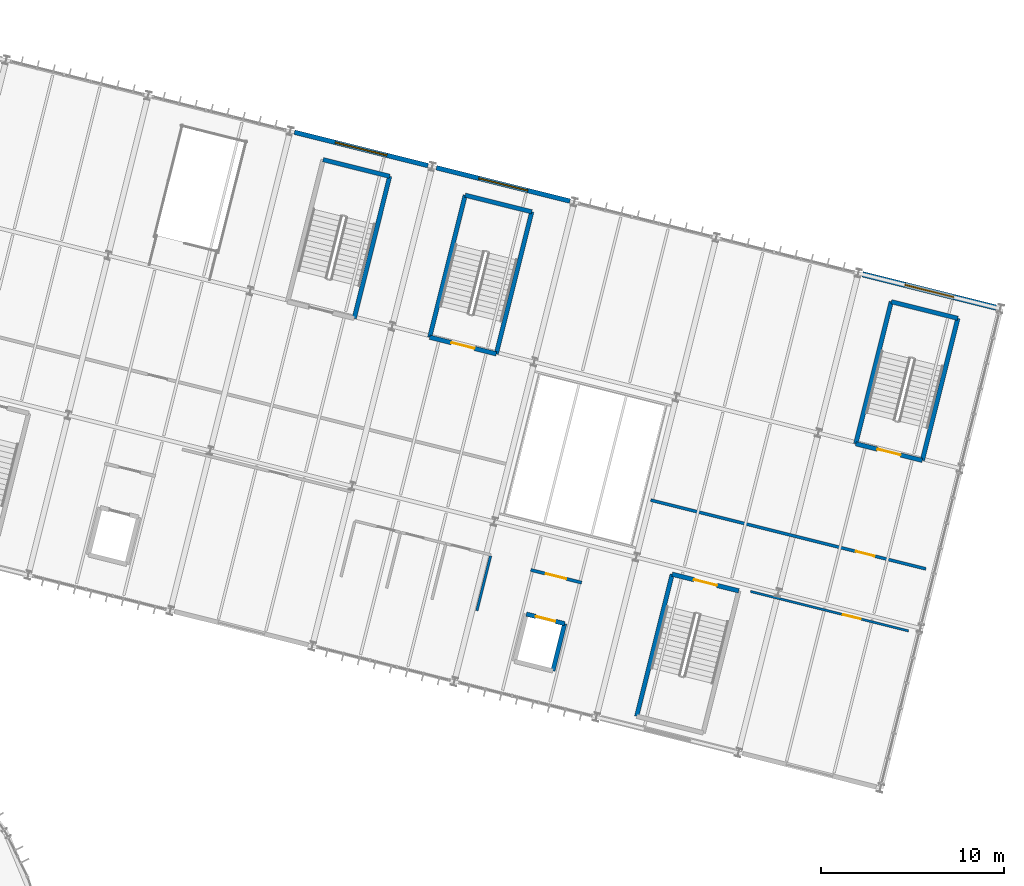
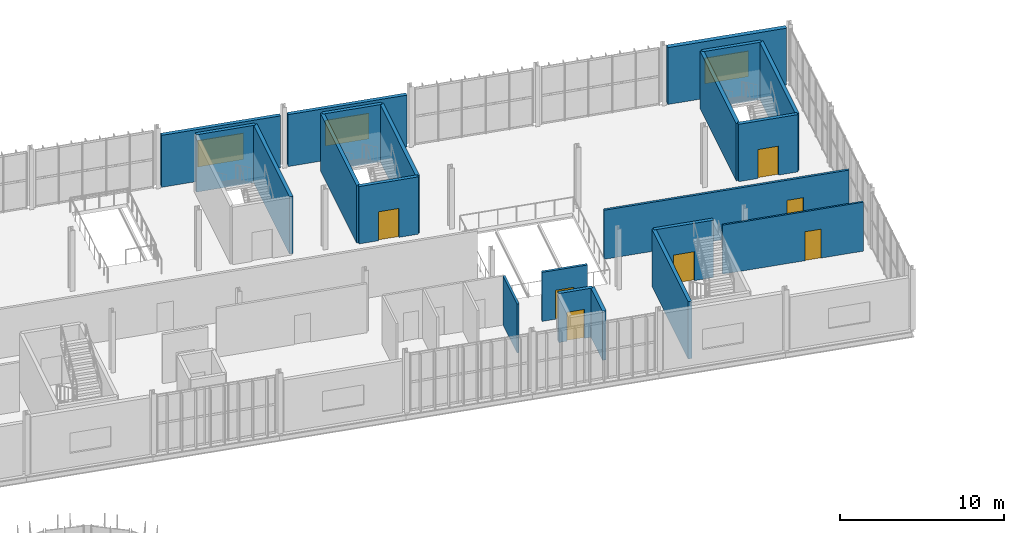
# One storey, part 125 of 152: 21 walls, 7 doors, 3 windows, 10 openings.
"""IFC4 building model written with IfcOpenShell, lengths in metres."""

from ifc_helpers import new_model, si_unit, derived_unit, direction, frame, frame_2d, origin, place, context, subcontext, project, spatial, rectangle, extrude, material, layer, layer_set, type_object, element, fill, save


model = new_model("IFC4")

# Units and contexts
model_context = context("Model", 3, precision=1e-05, world=origin(), true_north=direction((0.0, 1.0)))
body_context = subcontext(model_context, "Body", "Model", "MODEL_VIEW")
ifc_project = project(units=[si_unit("LENGTHUNIT", "METRE"), si_unit("AREAUNIT", "SQUARE_METRE"), si_unit("VOLUMEUNIT", "CUBIC_METRE"), si_unit("PLANEANGLEUNIT", "RADIAN"), si_unit("MASSUNIT", "GRAM", prefix="KILO"), si_unit("THERMODYNAMICTEMPERATUREUNIT", "KELVIN"), si_unit("TIMEUNIT", "SECOND"), derived_unit("THERMALTRANSMITTANCEUNIT", [(si_unit("MASSUNIT", "GRAM", prefix="KILO"), 1), (si_unit("THERMODYNAMICTEMPERATUREUNIT", "KELVIN"), -1), (si_unit("TIMEUNIT", "SECOND"), -3)])], contexts=[model_context])

# Site, building, storey
site_placement = place(None, origin())
site = spatial("IfcSite", under=ifc_project, at=site_placement, CompositionType="ELEMENT")
building_placement = place(site_placement, origin())
building = spatial("IfcBuilding", under=site, at=building_placement, Name="Cambertide Market Hall", CompositionType="ELEMENT")
storey_placement = place(building_placement, frame((0.0, 0.0, 5.39990234375)))
storey = spatial("IfcBuildingStorey", under=building, at=storey_placement, Name="L02", CompositionType="ELEMENT", Elevation=5.39990234375)

# Wall, opening, door
ifc_material_1 = material(Name="Autoclaved Aerated Concrete Blockwork M7.5", Category="masonry")
ifc_layer_1 = layer(ifc_material_1, 0.159912109375, Name="Fire-Rated Corridor & Kitchen Partition 160")
ifc_layer_set_1 = layer_set([ifc_layer_1], Name="Autoclaved Aerated Concrete Blockwork M7.5")
wall_type_1 = type_object("IfcWallType", Name="Fire-Rated Corridor & Kitchen Partition 160", PredefinedType="PARTITIONING", material=ifc_layer_set_1)
wall_1_placement = place(storey_placement, frame((157.530517578125, 100.21337890625, 0.0), z_axis=(0.0, 0.0, 1.0), x_axis=(0.97014342666, -0.242531918947, 0.0)))
wall_1 = element("IfcWall", 1, at=wall_1_placement, inside=storey, type_object=wall_type_1, Name="Level 2 Interior Wall IW-L02-V4C-48", PredefinedType="PARTITIONING", context=body_context, shape_type="SweptSolid", body=[
    extrude(rectangle(XDim=15.500244140625, YDim=0.159912109375, at=frame_2d((7.75, 0.0))), origin(), (0.0, 0.0, 1.0), 3.64013671875),
])
opening_1_placement = place(wall_1_placement, frame((11.56005859375, 0.0, 0.0)))
opening_1 = element("IfcOpeningElement", 2, at=opening_1_placement, cuts=wall_1, Name="Opening KD-01", PredefinedType="OPENING", context=body_context, shape_type="SweptSolid", body=[
    extrude(rectangle(XDim=1.050048828125, YDim=2.14990234375, at=frame_2d((0.52490234375, 1.074951171875))), frame((0.0, 0.08984375, 0.0), z_axis=(0.0, -1.0, 0.0), x_axis=(1.0, 0.0, 0.0)), (0.0, 0.0, 1.0), 0.179931640625),
])
ifc_material_2 = material(Name="Stainless Steel Grade 316", Category="metal")
door_type_1 = type_object("IfcDoorType", Name="Kitchen & Lab Fire Door 1050x2150", OperationType="NOTDEFINED", PredefinedType="DOOR", material=ifc_material_2)
door_1_placement = place(opening_1_placement, origin())
door_1 = element("IfcDoor", 3, at=door_1_placement, inside=storey, type_object=door_type_1, Name="Level 2 Door IW-L02-V4C-48-DR1", OperationType="SINGLE_SWING_LEFT", OverallHeight=2.14990234375, OverallWidth=1.050048828125, PredefinedType="DOOR", context=body_context, shape_type="SweptSolid", body=[
    extrude(rectangle(XDim=1.050048828125, YDim=2.14990234375, at=frame_2d((0.52490234375, 1.074951171875))), frame((0.0, 0.02490234375, 0.0), z_axis=(0.0, -1.0, 0.0), x_axis=(1.0, 0.0, 0.0)), (0.0, 0.0, 1.0), 0.050048828125),
])
fill(opening_1, door_1)

# Wall, opening, window
ifc_material_3 = material(Name="Autoclaved Aerated Concrete Blockwork M7.5", Category="masonry")
ifc_layer_2 = layer(ifc_material_3, 0.25, Name="Insulated AAC Exterior Infill Wall 250")
ifc_layer_set_2 = layer_set([ifc_layer_2], Name="Autoclaved Aerated Concrete Blockwork M7.5")
wall_type_2 = type_object("IfcWallType", Name="Insulated AAC Exterior Infill Wall 250", PredefinedType="SOLIDWALL", material=ifc_layer_set_2)
wall_2_placement = place(storey_placement, frame((138.064697265625, 120.314697265625, 0.0), z_axis=(0.0, 0.0, 1.0), x_axis=(0.970146319544, -0.242520346931, 0.0)))
wall_2 = element("IfcWall", 4, at=wall_2_placement, inside=storey, type_object=wall_type_2, Name="Level 2 Exterior Wall EW-L02-V4N-4", PredefinedType="SOLIDWALL", context=body_context, shape_type="SweptSolid", body=[
    extrude(rectangle(XDim=7.52001953125, YDim=0.25, at=frame_2d((3.760009765625, 0.0))), origin(), (0.0, 0.0, 1.0), 3.85498046875),
])
opening_2_placement = place(wall_2_placement, frame((2.31005859375, 0.0, 1.0)))
opening_2 = element("IfcOpeningElement", 5, at=opening_2_placement, cuts=wall_2, Name="Opening WN-07", PredefinedType="OPENING", context=body_context, shape_type="SweptSolid", body=[
    extrude(rectangle(XDim=2.89990234375, YDim=1.949951171875, at=frame_2d((1.449951171875, 0.97509765625))), frame((0.0, 0.135009765625, 0.0), z_axis=(0.0, -1.0, 0.0), x_axis=(1.0, 0.0, 0.0)), (0.0, 0.0, 1.0), 0.27001953125),
])
ifc_material_4 = material(Name="Low-E Laminated Insulated Glass", Category="glass")
window_type_1 = type_object("IfcWindowType", Name="Spice Hall Punched Window 2900x1950", PartitioningType="SINGLE_PANEL", PredefinedType="WINDOW", material=ifc_material_4)
window_1_placement = place(opening_2_placement, origin())
window_1 = element("IfcWindow", 6, at=window_1_placement, inside=storey, type_object=window_type_1, Name="Level 2 Window EW-L02-V4N-4-WN", OverallHeight=1.949951171875, OverallWidth=2.89990234375, PartitioningType="SINGLE_PANEL", PredefinedType="WINDOW", context=body_context, shape_type="SweptSolid", body=[
    extrude(rectangle(XDim=2.89990234375, YDim=1.949951171875, at=frame_2d((1.449951171875, 0.97509765625))), frame((0.0, 0.030029296875, 0.0), z_axis=(0.0, -1.0, 0.0), x_axis=(1.0, 0.0, 0.0)), (0.0, 0.0, 1.0), 0.06005859375),
])
fill(opening_2, window_1)

wall_3_placement = place(storey_placement, frame((145.825927734375, 118.37451171875, 0.0), z_axis=(0.0, 0.0, 1.0), x_axis=(0.970138680536, -0.242550902961, 0.0)))
wall_3 = element("IfcWall", 7, at=wall_3_placement, inside=storey, type_object=wall_type_2, Name="Level 2 Exterior Wall EW-L02-V4N-5", PredefinedType="SOLIDWALL", context=body_context, shape_type="SweptSolid", body=[
    extrude(rectangle(XDim=7.52001953125, YDim=0.25, at=frame_2d((3.760009765625, 0.0))), origin(), (0.0, 0.0, 1.0), 3.85498046875),
])
opening_3_placement = place(wall_3_placement, frame((2.385009765625, 0.0, 1.0)))
opening_3 = element("IfcOpeningElement", 8, at=opening_3_placement, cuts=wall_3, Name="Opening WN-07B", PredefinedType="OPENING", context=body_context, shape_type="SweptSolid", body=[
    extrude(rectangle(XDim=2.75, YDim=1.89990234375, at=frame_2d((1.375, 0.949951171875))), frame((0.0, 0.135009765625, 0.0), z_axis=(0.0, -1.0, 0.0), x_axis=(1.0, 0.0, 0.0)), (0.0, 0.0, 1.0), 0.27001953125),
])
ifc_material_5 = material(Name="Low-E Laminated Insulated Glass", Category="glass")
window_type_2 = type_object("IfcWindowType", Name="Craft Gallery Window 2750x1900", PartitioningType="SINGLE_PANEL", PredefinedType="WINDOW", material=ifc_material_5)
window_2_placement = place(opening_3_placement, origin())
window_2 = element("IfcWindow", 9, at=window_2_placement, inside=storey, type_object=window_type_2, Name="Level 2 Window EW-L02-V4N-5-WN", OverallHeight=1.89990234375, OverallWidth=2.75, PartitioningType="SINGLE_PANEL", PredefinedType="WINDOW", context=body_context, shape_type="SweptSolid", body=[
    extrude(rectangle(XDim=2.75, YDim=1.89990234375, at=frame_2d((1.375, 0.949951171875))), frame((0.0, 0.030029296875, 0.0), z_axis=(0.0, -1.0, 0.0), x_axis=(1.0, 0.0, 0.0)), (0.0, 0.0, 1.0), 0.06005859375),
])
fill(opening_3, window_2)

# Wall, opening, door
ifc_material_6 = material(Name="Autoclaved Aerated Concrete Blockwork M7.5", Category="masonry")
ifc_layer_3 = layer(ifc_material_6, 0.169921875, Name="Lift Lobby Fire Partition 170")
ifc_layer_set_3 = layer_set([ifc_layer_3], Name="Autoclaved Aerated Concrete Blockwork M7.5")
wall_type_3 = type_object("IfcWallType", Name="Lift Lobby Fire Partition 170", PredefinedType="PARTITIONING", material=ifc_layer_set_3)
wall_4_placement = place(storey_placement, frame((150.979736328125, 96.398193359375, 0.0), z_axis=(0.0, 0.0, 1.0), x_axis=(0.970147521275, -0.242515539634, 0.0)))
wall_4 = element("IfcWall", 10, at=wall_4_placement, inside=storey, type_object=wall_type_3, Name="Level 2 Interior Wall LLW-LP-04-L02", PredefinedType="PARTITIONING", context=body_context, shape_type="SweptSolid", body=[
    extrude(rectangle(XDim=2.860107421875, YDim=0.169921875, at=frame_2d((1.43017578125, 0.0))), origin(), (0.0, 0.0, 1.0), 3.64013671875),
])
opening_4_placement = place(wall_4_placement, frame((0.85498046875, 0.0, 0.0)))
opening_4 = element("IfcOpeningElement", 11, at=opening_4_placement, cuts=wall_4, Name="Opening KD-02", PredefinedType="OPENING", context=body_context, shape_type="SweptSolid", body=[
    extrude(rectangle(XDim=1.14990234375, YDim=2.14990234375, at=frame_2d((0.574951171875, 1.074951171875))), frame((0.0, 0.094970703125, 0.0), z_axis=(0.0, -1.0, 0.0), x_axis=(1.0, 0.0, 0.0)), (0.0, 0.0, 1.0), 0.18994140625),
])
ifc_material_7 = material(Name="Stainless Steel Grade 316", Category="metal")
door_type_2 = type_object("IfcDoorType", Name="Lift Lobby Smoke-Stop Door 1150x2150", OperationType="NOTDEFINED", PredefinedType="DOOR", material=ifc_material_7)
door_2_placement = place(opening_4_placement, origin())
door_2 = element("IfcDoor", 12, at=door_2_placement, inside=storey, type_object=door_type_2, Name="Level 2 Door LLW-LP-04-L02-DR1", OperationType="SINGLE_SWING_RIGHT", OverallHeight=2.14990234375, OverallWidth=1.14990234375, PredefinedType="DOOR", context=body_context, shape_type="SweptSolid", body=[
    extrude(rectangle(XDim=1.14990234375, YDim=2.14990234375, at=frame_2d((0.574951171875, 1.074951171875))), frame((0.0, 0.02490234375, 0.0), z_axis=(0.0, -1.0, 0.0), x_axis=(1.0, 0.0, 0.0)), (0.0, 0.0, 1.0), 0.050048828125),
])
fill(opening_4, door_2)

ifc_material_8 = material(Name="Autoclaved Aerated Concrete Blockwork M7.5", Category="masonry")
ifc_layer_4 = layer(ifc_material_8, 0.125, Name="Market Stall & Office Partition 125")
ifc_layer_set_4 = layer_set([ifc_layer_4], Name="Autoclaved Aerated Concrete Blockwork M7.5")
wall_type_4 = type_object("IfcWallType", Name="Market Stall & Office Partition 125", PredefinedType="PARTITIONING", material=ifc_layer_set_4)
wall_5_placement = place(storey_placement, frame((162.98291015625, 95.22216796875, 0.0), z_axis=(0.0, 0.0, 1.0), x_axis=(0.970139272835, -0.242548533914, 0.0)))
wall_5 = element("IfcWall", 13, at=wall_5_placement, inside=storey, type_object=wall_type_4, Name="Level 2 Interior Wall IW-L02-V4S3", PredefinedType="PARTITIONING", context=body_context, shape_type="SweptSolid", body=[
    extrude(rectangle(XDim=8.900146484375, YDim=0.125, at=frame_2d((4.4501953125, 0.0))), origin(), (0.0, 0.0, 1.0), 3.64013671875),
])
opening_5_placement = place(wall_5_placement, frame((5.214111328125, 0.0, 0.0)))
opening_5 = element("IfcOpeningElement", 14, at=opening_5_placement, cuts=wall_5, Name="Opening ID-03", PredefinedType="OPENING", context=body_context, shape_type="SweptSolid", body=[
    extrude(rectangle(XDim=1.0, YDim=2.14990234375, at=frame_2d((0.5, 1.074951171875))), frame((0.0, 0.072509765625, 0.0), z_axis=(0.0, -1.0, 0.0), x_axis=(1.0, 0.0, 0.0)), (0.0, 0.0, 1.0), 0.14501953125),
])
ifc_material_9 = material(Name="Champagne Marine Anodized Aluminium 6063-T6 AA25", Category="aluminium")
door_type_3 = type_object("IfcDoorType", Name="Accessible Room Single Door 1000x2150", OperationType="NOTDEFINED", PredefinedType="DOOR", material=ifc_material_9)
door_3_placement = place(opening_5_placement, origin())
door_3 = element("IfcDoor", 15, at=door_3_placement, inside=storey, type_object=door_type_3, Name="Level 2 Door IW-L02-V4S3-DR1", OperationType="SINGLE_SWING_RIGHT", OverallHeight=2.14990234375, OverallWidth=1.0, PredefinedType="DOOR", context=body_context, shape_type="SweptSolid", body=[
    extrude(rectangle(XDim=1.0, YDim=2.14990234375, at=frame_2d((0.5, 1.074951171875))), frame((0.0, 0.02490234375, 0.0), z_axis=(0.0, -1.0, 0.0), x_axis=(1.0, 0.0, 0.0)), (0.0, 0.0, 1.0), 0.050048828125),
])
fill(opening_5, door_3)

# Walls
ifc_material_10 = material(Name="Autoclaved Aerated Concrete Blockwork M7.5", Category="masonry")
ifc_layer_5 = layer(ifc_material_10, 0.139892578125, Name="Sanitary & Wet-Area Masonry Partition 140")
ifc_layer_set_5 = layer_set([ifc_layer_5], Name="Autoclaved Aerated Concrete Blockwork M7.5")
wall_type_5 = type_object("IfcWallType", Name="Sanitary & Wet-Area Masonry Partition 140", PredefinedType="PARTITIONING", material=ifc_layer_set_5)
wall_6_placement = place(storey_placement, frame((148.030517578125, 94.1669921875, 0.0), z_axis=(0.0, 0.0, 1.0), x_axis=(0.242554154721, 0.970137867536, 0.0)))
element("IfcWall", 16, at=wall_6_placement, inside=storey, type_object=wall_type_5, Name="Level 2 Interior Wall WCW-L02-L02B-R", PredefinedType="PARTITIONING", context=body_context, shape_type="SweptSolid", body=[
    extrude(rectangle(XDim=3.10009765625, YDim=0.139892578125, at=frame_2d((1.550048828125, 0.0))), origin(), (0.0, 0.0, 1.0), 3.64013671875),
])
ifc_material_11 = material(Name="Concrete B35", Category="concrete")
ifc_layer_6 = layer(ifc_material_11, 0.239990234375, Name="Stair & Lift Core Shaft Wall 240")
ifc_layer_set_6 = layer_set([ifc_layer_6], Name="Concrete B35")
wall_type_6 = type_object("IfcWallType", Name="Stair & Lift Core Shaft Wall 240", PredefinedType="SOLIDWALL", material=ifc_layer_set_6)
wall_7_placement = place(storey_placement, frame((143.270751953125, 117.9052734375, 0.0), z_axis=(0.0, 0.0, 1.0), x_axis=(-0.242521263911, -0.970146090314, 0.0)))
element("IfcWall", 17, at=wall_7_placement, inside=storey, type_object=wall_type_6, Name="Level 2 Interior Wall SHW-ST-07B-L02-L", PredefinedType="SOLIDWALL", context=body_context, shape_type="SweptSolid", body=[
    extrude(rectangle(XDim=8.0, YDim=0.239990234375, at=frame_2d((4.0, 0.0))), origin(), (0.0, 0.0, 1.0), 4.255126953125),
])
wall_8_placement = place(storey_placement, frame((139.6328125, 118.814697265625, 0.0), z_axis=(0.0, 0.0, 1.0), x_axis=(0.970146329796, -0.242520305918, 0.0)))
element("IfcWall", 18, at=wall_8_placement, inside=storey, type_object=wall_type_6, Name="Level 2 Interior Wall SHW-ST-07B-L02-FAR", PredefinedType="SOLIDWALL", context=body_context, shape_type="SweptSolid", body=[
    extrude(rectangle(XDim=3.75, YDim=0.239990234375, at=frame_2d((1.875, 0.0))), origin(), (0.0, 0.0, 1.0), 4.255126953125),
])

# Wall, opening, door
wall_9_placement = place(storey_placement, frame((158.7080078125, 96.161865234375, 0.0), z_axis=(0.0, 0.0, 1.0), x_axis=(0.970150158722, -0.242504988675, 0.0)))
wall_9 = element("IfcWall", 19, at=wall_9_placement, inside=storey, type_object=wall_type_6, Name="Level 2 Interior Wall SHW-ST-08A-L02-NEAR", PredefinedType="SOLIDWALL", context=body_context, shape_type="SweptSolid", body=[
    extrude(rectangle(XDim=3.750244140625, YDim=0.239990234375, at=frame_2d((1.875, 0.0))), origin(), (0.0, 0.0, 1.0), 4.255126953125),
])
opening_6_placement = place(wall_9_placement, frame((1.22509765625, 0.0, 0.0)))
opening_6 = element("IfcOpeningElement", 20, at=opening_6_placement, cuts=wall_9, Name="Opening FD-01", PredefinedType="OPENING", context=body_context, shape_type="SweptSolid", body=[
    extrude(rectangle(XDim=1.300048828125, YDim=2.14990234375, at=frame_2d((0.64990234375, 1.074951171875))), frame((0.0, 0.1298828125, 0.0), z_axis=(0.0, -1.0, 0.0), x_axis=(1.0, 0.0, 0.0)), (0.0, 0.0, 1.0), 0.260009765625),
])
ifc_material_12 = material(Name="Powder-Coated Galvanized Sheet Metal", Category="metal")
door_type_4 = type_object("IfcDoorType", Name="Stair Core Fire Door 1300x2150", OperationType="NOTDEFINED", PredefinedType="DOOR", material=ifc_material_12)
door_4_placement = place(opening_6_placement, origin())
door_4 = element("IfcDoor", 21, at=door_4_placement, inside=storey, type_object=door_type_4, Name="Level 2 Door SHW-ST-08A-L02-NEAR-DR1", OperationType="SINGLE_SWING_LEFT", OverallHeight=2.14990234375, OverallWidth=1.300048828125, PredefinedType="DOOR", context=body_context, shape_type="SweptSolid", body=[
    extrude(rectangle(XDim=1.300048828125, YDim=2.14990234375, at=frame_2d((0.64990234375, 1.074951171875))), frame((0.0, 0.02490234375, 0.0), z_axis=(0.0, -1.0, 0.0), x_axis=(1.0, 0.0, 0.0)), (0.0, 0.0, 1.0), 0.050048828125),
])
fill(opening_6, door_4)

# Wall
wall_10_placement = place(storey_placement, frame((156.767822265625, 88.400634765625, 0.0), z_axis=(0.0, 0.0, 1.0), x_axis=(0.242521263911, 0.970146090314, 0.0)))
element("IfcWall", 22, at=wall_10_placement, inside=storey, type_object=wall_type_6, Name="Level 2 Interior Wall SHW-ST-08A-L02-L", PredefinedType="SOLIDWALL", context=body_context, shape_type="SweptSolid", body=[
    extrude(rectangle(XDim=8.0, YDim=0.239990234375, at=frame_2d((4.0, 0.0))), origin(), (0.0, 0.0, 1.0), 4.255126953125),
])

# Wall, opening, door
wall_11_placement = place(storey_placement, frame((172.375, 102.3828125, 0.0), z_axis=(0.0, 0.0, 1.0), x_axis=(-0.970131009923, 0.242581581301, 0.0)))
wall_11 = element("IfcWall", 23, at=wall_11_placement, inside=storey, type_object=wall_type_6, Name="Level 2 Interior Wall SHW-ST-08B-L02-NEAR", PredefinedType="SOLIDWALL", context=body_context, shape_type="SweptSolid", body=[
    extrude(rectangle(XDim=3.75, YDim=0.239990234375, at=frame_2d((1.875, 0.0))), origin(), (0.0, 0.0, 1.0), 4.255126953125),
])
opening_7_placement = place(wall_11_placement, frame((1.22509765625, 0.0, 0.0)))
opening_7 = element("IfcOpeningElement", 24, at=opening_7_placement, cuts=wall_11, Name="Opening FD-01", PredefinedType="OPENING", context=body_context, shape_type="SweptSolid", body=[
    extrude(rectangle(XDim=1.300048828125, YDim=2.14990234375, at=frame_2d((0.64990234375, 1.074951171875))), frame((0.0, 0.1298828125, 0.0), z_axis=(0.0, -1.0, 0.0), x_axis=(1.0, 0.0, 0.0)), (0.0, 0.0, 1.0), 0.260009765625),
])
door_5_placement = place(opening_7_placement, origin())
door_5 = element("IfcDoor", 25, at=door_5_placement, inside=storey, type_object=door_type_4, Name="Level 2 Door SHW-ST-08B-L02-NEAR-DR1", OperationType="SINGLE_SWING_RIGHT", OverallHeight=2.14990234375, OverallWidth=1.300048828125, PredefinedType="DOOR", context=body_context, shape_type="SweptSolid", body=[
    extrude(rectangle(XDim=1.300048828125, YDim=2.14990234375, at=frame_2d((0.64990234375, 1.074951171875))), frame((0.0, 0.02490234375, 0.0), z_axis=(0.0, -1.0, 0.0), x_axis=(1.0, 0.0, 0.0)), (0.0, 0.0, 1.0), 0.050048828125),
])
fill(opening_7, door_5)

# Walls
wall_12_placement = place(storey_placement, frame((174.315185546875, 110.14404296875, 0.0), z_axis=(0.0, 0.0, 1.0), x_axis=(-0.242521263911, -0.970146090314, 0.0)))
element("IfcWall", 26, at=wall_12_placement, inside=storey, type_object=wall_type_6, Name="Level 2 Interior Wall SHW-ST-08B-L02-L", PredefinedType="SOLIDWALL", context=body_context, shape_type="SweptSolid", body=[
    extrude(rectangle(XDim=8.0, YDim=0.239990234375, at=frame_2d((4.0, 0.0))), origin(), (0.0, 0.0, 1.0), 4.255126953125),
])
wall_13_placement = place(storey_placement, frame((170.67724609375, 111.0537109375, 0.0), z_axis=(0.0, 0.0, 1.0), x_axis=(0.970131009923, -0.242581581301, 0.0)))
element("IfcWall", 27, at=wall_13_placement, inside=storey, type_object=wall_type_6, Name="Level 2 Interior Wall SHW-ST-08B-L02-FAR", PredefinedType="SOLIDWALL", context=body_context, shape_type="SweptSolid", body=[
    extrude(rectangle(XDim=3.75, YDim=0.239990234375, at=frame_2d((1.875, 0.0))), origin(), (0.0, 0.0, 1.0), 4.255126953125),
])
wall_14_placement = place(storey_placement, frame((168.737060546875, 103.29248046875, 0.0), z_axis=(0.0, 0.0, 1.0), x_axis=(0.242521263911, 0.970146090314, 0.0)))
element("IfcWall", 28, at=wall_14_placement, inside=storey, type_object=wall_type_6, Name="Level 2 Interior Wall SHW-ST-08B-L02-R", PredefinedType="SOLIDWALL", context=body_context, shape_type="SweptSolid", body=[
    extrude(rectangle(XDim=8.0, YDim=0.239990234375, at=frame_2d((4.0, 0.0))), origin(), (0.0, 0.0, 1.0), 4.255126953125),
])

# Wall, opening, door
wall_15_placement = place(storey_placement, frame((149.091552734375, 108.203857421875, 0.0), z_axis=(0.0, 0.0, 1.0), x_axis=(-0.970146329796, 0.242520305918, 0.0)))
wall_15 = element("IfcWall", 29, at=wall_15_placement, inside=storey, type_object=wall_type_6, Name="Level 2 Interior Wall SHW-ST-09-L02-NEAR", PredefinedType="SOLIDWALL", context=body_context, shape_type="SweptSolid", body=[
    extrude(rectangle(XDim=3.75, YDim=0.239990234375, at=frame_2d((1.875, 0.0))), origin(), (0.0, 0.0, 1.0), 4.255126953125),
])
opening_8_placement = place(wall_15_placement, frame((1.22509765625, 0.0, 0.0)))
opening_8 = element("IfcOpeningElement", 30, at=opening_8_placement, cuts=wall_15, Name="Opening FD-01", PredefinedType="OPENING", context=body_context, shape_type="SweptSolid", body=[
    extrude(rectangle(XDim=1.300048828125, YDim=2.14990234375, at=frame_2d((0.64990234375, 1.074951171875))), frame((0.0, 0.1298828125, 0.0), z_axis=(0.0, -1.0, 0.0), x_axis=(1.0, 0.0, 0.0)), (0.0, 0.0, 1.0), 0.260009765625),
])
door_6_placement = place(opening_8_placement, origin())
door_6 = element("IfcDoor", 31, at=door_6_placement, inside=storey, type_object=door_type_4, Name="Level 2 Door SHW-ST-09-L02-NEAR-DR1", OperationType="SINGLE_SWING_RIGHT", OverallHeight=2.14990234375, OverallWidth=1.300048828125, PredefinedType="DOOR", context=body_context, shape_type="SweptSolid", body=[
    extrude(rectangle(XDim=1.300048828125, YDim=2.14990234375, at=frame_2d((0.64990234375, 1.074951171875))), frame((0.0, 0.02490234375, 0.0), z_axis=(0.0, -1.0, 0.0), x_axis=(1.0, 0.0, 0.0)), (0.0, 0.0, 1.0), 0.050048828125),
])
fill(opening_8, door_6)

# Walls
wall_16_placement = place(storey_placement, frame((151.031982421875, 115.96484375, 0.0), z_axis=(0.0, 0.0, 1.0), x_axis=(-0.242557167103, -0.970137114374, 0.0)))
element("IfcWall", 32, at=wall_16_placement, inside=storey, type_object=wall_type_6, Name="Level 2 Interior Wall SHW-ST-09-L02-L", PredefinedType="SOLIDWALL", context=body_context, shape_type="SweptSolid", body=[
    extrude(rectangle(XDim=8.0, YDim=0.239990234375, at=frame_2d((4.0, 0.0))), origin(), (0.0, 0.0, 1.0), 4.255126953125),
])
wall_17_placement = place(storey_placement, frame((147.393798828125, 116.87451171875, 0.0), z_axis=(0.0, 0.0, 1.0), x_axis=(0.970134840723, -0.242566260672, 0.0)))
element("IfcWall", 33, at=wall_17_placement, inside=storey, type_object=wall_type_6, Name="Level 2 Interior Wall SHW-ST-09-L02-FAR", PredefinedType="SOLIDWALL", context=body_context, shape_type="SweptSolid", body=[
    extrude(rectangle(XDim=3.750244140625, YDim=0.239990234375, at=frame_2d((1.875, 0.0))), origin(), (0.0, 0.0, 1.0), 4.255126953125),
])
wall_18_placement = place(storey_placement, frame((145.45361328125, 109.11328125, 0.0), z_axis=(0.0, 0.0, 1.0), x_axis=(0.242521263911, 0.970146090314, 0.0)))
element("IfcWall", 34, at=wall_18_placement, inside=storey, type_object=wall_type_6, Name="Level 2 Interior Wall SHW-ST-09-L02-R", PredefinedType="SOLIDWALL", context=body_context, shape_type="SweptSolid", body=[
    extrude(rectangle(XDim=8.0, YDim=0.239990234375, at=frame_2d((4.0, 0.0))), origin(), (0.0, 0.0, 1.0), 4.255126953125),
])

# Wall, opening, door
wall_19_placement = place(storey_placement, frame((150.7373046875, 93.985107421875, 0.0), z_axis=(0.0, 0.0, 1.0), x_axis=(0.970135850962, -0.242562220222, 0.0)))
wall_19 = element("IfcWall", 35, at=wall_19_placement, inside=storey, type_object=wall_type_6, Name="Level 2 Interior Wall LSH-LP-04-L02-N", PredefinedType="SOLIDWALL", context=body_context, shape_type="SweptSolid", body=[
    extrude(rectangle(XDim=2.159912109375, YDim=0.239990234375, at=frame_2d((1.080078125, 0.0))), origin(), (0.0, 0.0, 1.0), 3.64013671875),
])
opening_9_placement = place(wall_19_placement, frame((0.530029296875, 0.0, 0.0)))
opening_9 = element("IfcOpeningElement", 36, at=opening_9_placement, cuts=wall_19, Name="Opening LD-01", PredefinedType="OPENING", context=body_context, shape_type="SweptSolid", body=[
    extrude(rectangle(XDim=1.10009765625, YDim=2.14990234375, at=frame_2d((0.550048828125, 1.074951171875))), frame((0.0, 0.1298828125, 0.0), z_axis=(0.0, -1.0, 0.0), x_axis=(1.0, 0.0, 0.0)), (0.0, 0.0, 1.0), 0.260009765625),
])
ifc_material_13 = material(Name="Stainless Steel Grade 316", Category="metal")
door_type_5 = type_object("IfcDoorType", Name="Passenger Lift Sliding Landing Door 1100x2150", OperationType="DOUBLE_DOOR_SLIDING", PredefinedType="DOOR", material=ifc_material_13)
door_7_placement = place(opening_9_placement, origin())
door_7 = element("IfcDoor", 37, at=door_7_placement, inside=storey, type_object=door_type_5, Name="Level 2 Door LSH-LP-04-L02-N-DR1", OperationType="DOUBLE_DOOR_SLIDING", OverallHeight=2.14990234375, OverallWidth=1.10009765625, PredefinedType="DOOR", context=body_context, shape_type="SweptSolid", body=[
    extrude(rectangle(XDim=1.10009765625, YDim=2.14990234375, at=frame_2d((0.550048828125, 1.074951171875))), frame((0.0, 0.02490234375, 0.0), z_axis=(0.0, -1.0, 0.0), x_axis=(1.0, 0.0, 0.0)), (0.0, 0.0, 1.0), 0.050048828125),
])
fill(opening_9, door_7)

# Wall
wall_20_placement = place(storey_placement, frame((152.832763671875, 93.461181640625, 0.0), z_axis=(0.0, 0.0, 1.0), x_axis=(-0.242578816146, -0.970131701346, 0.0)))
element("IfcWall", 38, at=wall_20_placement, inside=storey, type_object=wall_type_6, Name="Level 2 Interior Wall LSH-LP-04-L02-E", PredefinedType="SOLIDWALL", context=body_context, shape_type="SweptSolid", body=[
    extrude(rectangle(XDim=2.659912109375, YDim=0.239990234375, at=frame_2d((1.330078125, 0.0))), origin(), (0.0, 0.0, 1.0), 3.64013671875),
])

# Wall, opening, window
ifc_material_14 = material(Name="Concrete B35", Category="concrete")
ifc_layer_7 = layer(ifc_material_14, 0.300048828125, Name="Structural Facade Shear Wall 300")
ifc_layer_set_7 = layer_set([ifc_layer_7], Name="Concrete B35")
wall_type_7 = type_object("IfcWallType", Name="Structural Facade Shear Wall 300", PredefinedType="SHEAR", material=ifc_layer_set_7)
wall_21_placement = place(storey_placement, frame((169.109375, 112.5537109375, 0.0), z_axis=(0.0, 0.0, 1.0), x_axis=(0.970138680536, -0.242550902961, 0.0)))
wall_21 = element("IfcWall", 39, at=wall_21_placement, inside=storey, type_object=wall_type_7, Name="Level 2 Exterior Wall EW-L02-V4N-8", PredefinedType="SHEAR", context=body_context, shape_type="SweptSolid", body=[
    extrude(rectangle(XDim=7.52001953125, YDim=0.300048828125, at=frame_2d((3.760009765625, 0.0))), origin(), (0.0, 0.0, 1.0), 4.22021484375),
])
opening_10_placement = place(wall_21_placement, frame((2.385009765625, 0.0, 1.0)))
opening_10 = element("IfcOpeningElement", 40, at=opening_10_placement, cuts=wall_21, Name="Opening WN-07B", PredefinedType="OPENING", context=body_context, shape_type="SweptSolid", body=[
    extrude(rectangle(XDim=2.75, YDim=1.89990234375, at=frame_2d((1.375, 0.949951171875))), frame((0.0, 0.159912109375, 0.0), z_axis=(0.0, -1.0, 0.0), x_axis=(1.0, 0.0, 0.0)), (0.0, 0.0, 1.0), 0.320068359375),
])
window_3_placement = place(opening_10_placement, origin())
window_3 = element("IfcWindow", 41, at=window_3_placement, inside=storey, type_object=window_type_2, Name="Level 2 Window EW-L02-V4N-8-WN", OverallHeight=1.89990234375, OverallWidth=2.75, PartitioningType="SINGLE_PANEL", PredefinedType="WINDOW", context=body_context, shape_type="SweptSolid", body=[
    extrude(rectangle(XDim=2.75, YDim=1.89990234375, at=frame_2d((1.375, 0.949951171875))), frame((0.0, 0.030029296875, 0.0), z_axis=(0.0, -1.0, 0.0), x_axis=(1.0, 0.0, 0.0)), (0.0, 0.0, 1.0), 0.06005859375),
])
fill(opening_10, window_3)

save(model, "model.ifc")
